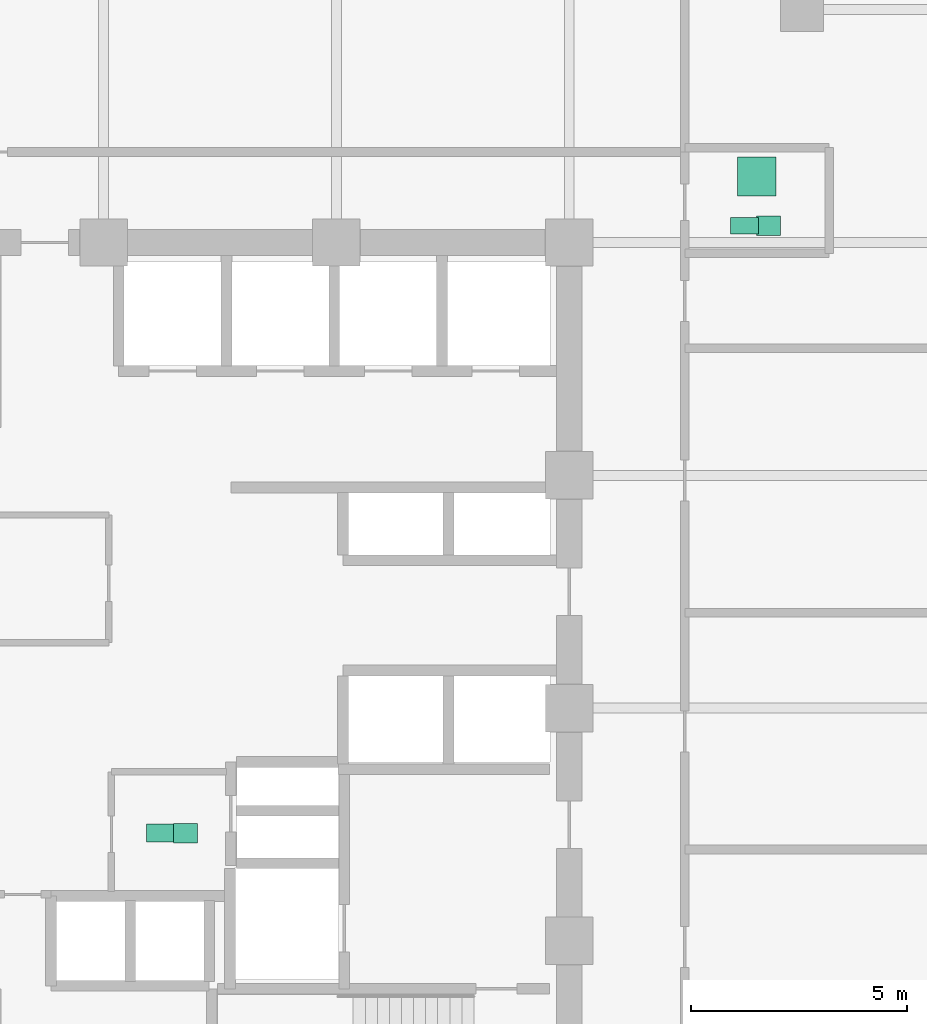
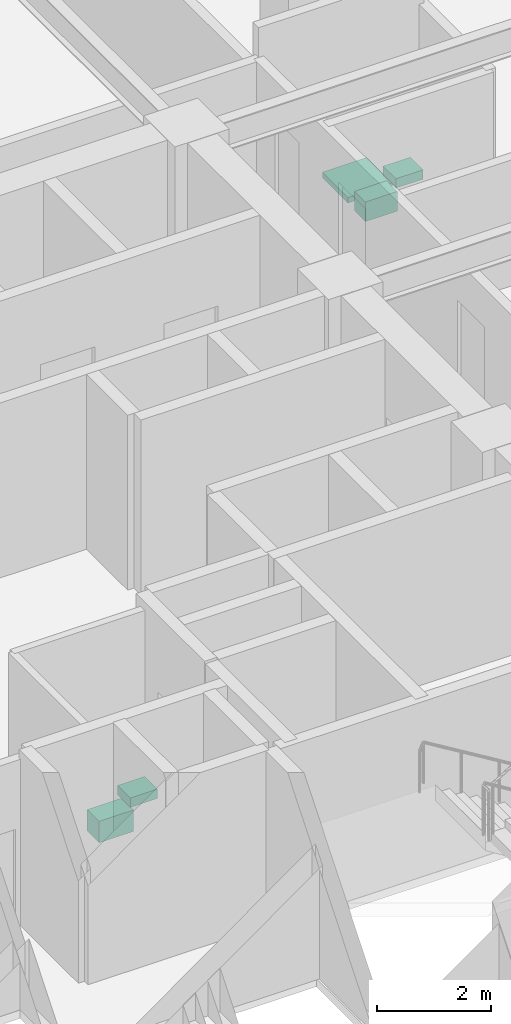
# One storey, part 29 of 29: 5 sanitary terminals.
"""IFC4 building model written with IfcOpenShell, lengths in metres."""

from ifc_helpers import new_model, si_unit, direction, frame, origin, origin_2d, place, context, subcontext, project, spatial, rectangle, extrude, material, type_object, element, save


model = new_model("IFC4")

# Units and contexts
model_context = context("Model", 3, precision=1e-05, world=origin(), true_north=direction((0.0, 1.0)))
body_context = subcontext(model_context, "Body", "Model", "MODEL_VIEW")
ifc_project = project(units=[si_unit("LENGTHUNIT", "METRE"), si_unit("AREAUNIT", "SQUARE_METRE"), si_unit("VOLUMEUNIT", "CUBIC_METRE"), si_unit("PLANEANGLEUNIT", "RADIAN"), si_unit("MASSUNIT", "GRAM", prefix="KILO")], contexts=[model_context])

# Site, building, storey
site_placement = place(None, origin())
site = spatial("IfcSite", under=ifc_project, at=site_placement, CompositionType="ELEMENT")
building_placement = place(site_placement, origin())
building = spatial("IfcBuilding", under=site, at=building_placement, Name="Surkhivell Harbour Commons", CompositionType="ELEMENT")
storey_placement = place(building_placement, frame((0.0, 0.0, 154.5)))
storey = spatial("IfcBuildingStorey", under=building, at=storey_placement, Name="L40", CompositionType="ELEMENT", Elevation=154.5)

# Sanitary terminals
ifc_material_1 = material(Name="Vitreous china washbasin", Category="other")
sanitary_terminal_type_1 = type_object("IfcSanitaryTerminalType", Name="SAN-BSN", PredefinedType="WASHHANDBASIN", material=ifc_material_1)
for number, where, z_axis, x_axis, name in (
    (1, (1.89990234375, -2.89990234375, 0.72021484375), (0.0, 0.0, 1.0), (1.0, 0.0, 0.0), "L40 Core Accessible WC Washbasin"),
    (2, (15.419921875, 11.18994140625, 0.72021484375), (0.0, 0.0, 1.0), (1.0, 0.0, 0.0), "L40 East Communal Bathroom WC Washbasin"),
):
    element("IfcSanitaryTerminal", number, at=place(storey_placement, frame(where, z_axis=z_axis, x_axis=x_axis)), inside=storey, type_object=sanitary_terminal_type_1, Name=name, PredefinedType="WASHHANDBASIN", context=body_context, shape_type="SweptSolid", body=[
        extrude(rectangle(XDim=0.550048828125, YDim=0.449951171875, at=origin_2d()), origin(), (0.0, 0.0, 1.0), 0.199951171875),
    ])
ifc_material_2 = material(Name="Glazed porcelain shower tray", Category="other")
sanitary_terminal_type_2 = type_object("IfcSanitaryTerminalType", Name="SAN-SHW", PredefinedType="SHOWER", material=ifc_material_2)
sanitary_terminal_1_placement = place(storey_placement, frame((15.14990234375, 12.330078125, 0.0), z_axis=(0.0, 0.0, 1.0), x_axis=(1.0, 0.0, 0.0)))
element("IfcSanitaryTerminal", 3, at=sanitary_terminal_1_placement, inside=storey, type_object=sanitary_terminal_type_2, Name="L40 East Communal Shower Tray", PredefinedType="SHOWER", context=body_context, shape_type="SweptSolid", body=[
    extrude(rectangle(XDim=0.89990234375, YDim=0.89990234375, at=origin_2d()), origin(), (0.0, 0.0, 1.0), 0.1201171875),
])
ifc_material_3 = material(Name="Vitreous china sanitaryware", Category="other")
sanitary_terminal_type_3 = type_object("IfcSanitaryTerminalType", Name="SAN-WC-ACC", PredefinedType="TOILETPAN", material=ifc_material_3)
sanitary_terminal_2_placement = place(storey_placement, frame((1.35009765625, -2.89990234375, 0.169921875), z_axis=(0.0, 0.0, 1.0), x_axis=(1.0, 0.0, 0.0)))
element("IfcSanitaryTerminal", 4, at=sanitary_terminal_2_placement, inside=storey, type_object=sanitary_terminal_type_3, Name="L40 Core Accessible WC", PredefinedType="TOILETPAN", context=body_context, shape_type="SweptSolid", body=[
    extrude(rectangle(XDim=0.699951171875, YDim=0.419921875, at=origin_2d()), origin(), (0.0, 0.0, 1.0), 0.4599609375),
])
sanitary_terminal_type_4 = type_object("IfcSanitaryTerminalType", Name="SAN-WC-STD", PredefinedType="TOILETPAN", material=ifc_material_3)
sanitary_terminal_3_placement = place(storey_placement, frame((14.8701171875, 11.18994140625, 0.18994140625), z_axis=(0.0, 0.0, 1.0), x_axis=(1.0, 0.0, 0.0)))
element("IfcSanitaryTerminal", 5, at=sanitary_terminal_3_placement, inside=storey, type_object=sanitary_terminal_type_4, Name="L40 East Communal Bathroom WC", PredefinedType="TOILETPAN", context=body_context, shape_type="SweptSolid", body=[
    extrude(rectangle(XDim=0.64990234375, YDim=0.3798828125, at=origin_2d()), origin(), (0.0, 0.0, 1.0), 0.419921875),
])

save(model, "model.ifc")
